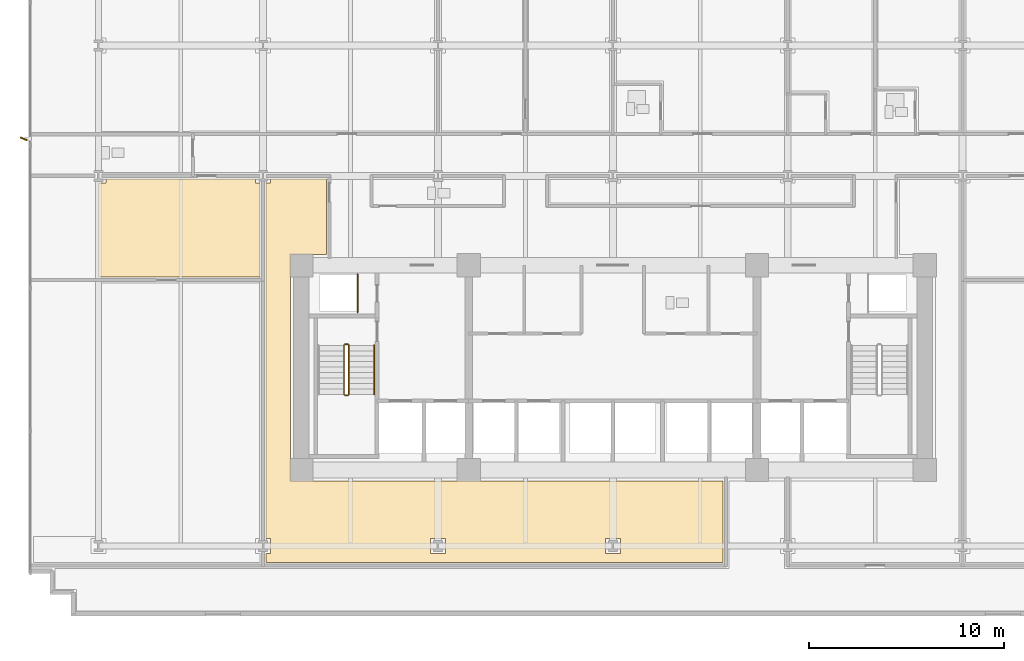
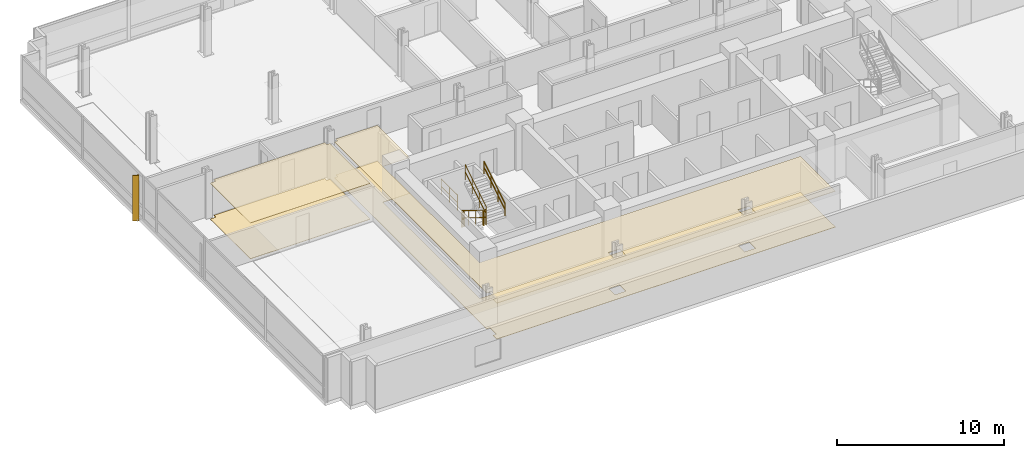
# One storey, part 13 of 18: 6 railings, 4 coverings, 1 shading device.
"""IFC4 building model written with IfcOpenShell, lengths in metres."""

from ifc_helpers import new_model, si_unit, direction, frame, origin, origin_2d, place, context, subcontext, project, spatial, polyline, rectangle, circle, outline, extrude, material, layer, layer_set, type_object, element, save


model = new_model("IFC4")

# Units and contexts
model_context = context("Model", 3, precision=1e-05, world=origin(), true_north=direction((0.0, 1.0)))
body_context = subcontext(model_context, "Body", "Model", "MODEL_VIEW")
ifc_project = project(units=[si_unit("LENGTHUNIT", "METRE"), si_unit("AREAUNIT", "SQUARE_METRE"), si_unit("VOLUMEUNIT", "CUBIC_METRE"), si_unit("PLANEANGLEUNIT", "RADIAN"), si_unit("MASSUNIT", "GRAM", prefix="KILO")], contexts=[model_context])

# Site, building, storey
site_placement = place(None, origin())
site = spatial("IfcSite", under=ifc_project, at=site_placement, CompositionType="ELEMENT")
building_placement = place(site_placement, origin())
building = spatial("IfcBuilding", under=site, at=building_placement, Name="Solmavex Isthmus Hotel", CompositionType="ELEMENT")
storey_placement = place(building_placement, frame((0.0, 0.0, 43.64990234375)))
storey = spatial("IfcBuildingStorey", under=building, at=storey_placement, Name="L11", CompositionType="ELEMENT", Elevation=43.64990234375)

# Coverings
ifc_material_1 = material(Name="Gypsum plasterboard lining", Category="gypsum")
ifc_layer_1 = layer(ifc_material_1, 0.030029296875)
ifc_layer_set_1 = layer_set([ifc_layer_1], Name="Gypsum plasterboard lining")
covering_type_1 = type_object("IfcCoveringType", Name="COV-CEIL-GYP", PredefinedType="CEILING", material=ifc_layer_set_1)
covering_1_placement = place(storey_placement, frame((0.0, 0.0, 2.6201171875)))
element("IfcCovering", 1, at=covering_1_placement, inside=storey, type_object=covering_type_1, Name="Suspended Acoustic Ceiling L11-FL11", PredefinedType="CEILING", context=body_context, shape_type="SweptSolid", body=[
    extrude(outline(polyline([(-26.02001953125, 1.945068359375), (-26.02001953125, 1.719970703125), (-26.39990234375, 1.719970703125), (-26.39990234375, -3.094970703125), (-18.10693359375, -3.094970703125), (-18.10693359375, 1.719970703125), (-18.33203125, 1.719970703125), (-18.33203125, 1.945068359375), (-26.02001953125, 1.945068359375)])), origin(), (0.0, 0.0, 1.0), 0.030029296875),
])
covering_2_placement = place(storey_placement, frame((0.0, 0.0, 2.6201171875)))
element("IfcCovering", 2, at=covering_2_placement, inside=storey, type_object=covering_type_1, Name="Suspended Acoustic Ceiling L11-FL14", PredefinedType="CEILING", context=body_context, shape_type="SweptSolid", body=[
    extrude(outline(polyline([(-17.797119140625, -16.52001953125), (-17.572021484375, -16.52001953125), (-17.572021484375, -17.280029296875), (-17.797119140625, -17.280029296875), (-17.797119140625, -17.7451171875), (5.64501953125, -17.7451171875), (5.64501953125, -13.554931640625), (-16.554931640625, -13.554931640625), (-16.554931640625, -1.945068359375), (-14.698974609375, -1.945068359375), (-14.698974609375, 1.945068359375), (-17.572021484375, 1.945068359375), (-17.572021484375, 1.719970703125), (-17.797119140625, 1.719970703125), (-17.797119140625, -16.52001953125)]), holes=[polyline([(-0.3798828125, -17.280029296875), (-0.3798828125, -16.52001953125), (0.3798828125, -16.52001953125), (0.3798828125, -17.280029296875), (-0.3798828125, -17.280029296875)]), polyline([(-9.35595703125, -17.280029296875), (-9.35595703125, -16.52001953125), (-8.595947265625, -16.52001953125), (-8.595947265625, -17.280029296875), (-9.35595703125, -17.280029296875)])]), origin(), (0.0, 0.0, 1.0), 0.030029296875),
])
ifc_material_2 = material(Name="Travertine natural stone", Category="masonry")
ifc_layer_2 = layer(ifc_material_2, 0.02490234375)
ifc_layer_set_2 = layer_set([ifc_layer_2], Name="Travertine natural stone")
covering_type_2 = type_object("IfcCoveringType", Name="COV-FLOR-STN", PredefinedType="FLOORING", material=ifc_layer_set_2)
covering_3_placement = place(storey_placement, origin())
element("IfcCovering", 3, at=covering_3_placement, inside=storey, type_object=covering_type_2, Name="Stone and Timber Floor Finish L11-FL11", PredefinedType="FLOORING", context=body_context, shape_type="SweptSolid", body=[
    extrude(outline(polyline([(-26.02001953125, 1.945068359375), (-26.02001953125, 1.719970703125), (-26.39990234375, 1.719970703125), (-26.39990234375, -3.094970703125), (-18.10693359375, -3.094970703125), (-18.10693359375, 1.719970703125), (-18.33203125, 1.719970703125), (-18.33203125, 1.945068359375), (-26.02001953125, 1.945068359375)])), origin(), (0.0, 0.0, 1.0), 0.025146484375),
])
covering_4_placement = place(storey_placement, origin())
element("IfcCovering", 4, at=covering_4_placement, inside=storey, type_object=covering_type_2, Name="Stone and Timber Floor Finish L11-FL14", PredefinedType="FLOORING", context=body_context, shape_type="SweptSolid", body=[
    extrude(outline(polyline([(-17.797119140625, -16.52001953125), (-17.572021484375, -16.52001953125), (-17.572021484375, -17.280029296875), (-17.797119140625, -17.280029296875), (-17.797119140625, -17.7451171875), (5.64501953125, -17.7451171875), (5.64501953125, -13.554931640625), (-16.554931640625, -13.554931640625), (-16.554931640625, -1.945068359375), (-14.698974609375, -1.945068359375), (-14.698974609375, 1.945068359375), (-17.572021484375, 1.945068359375), (-17.572021484375, 1.719970703125), (-17.797119140625, 1.719970703125), (-17.797119140625, -16.52001953125)]), holes=[polyline([(-0.3798828125, -17.280029296875), (-0.3798828125, -16.52001953125), (0.3798828125, -16.52001953125), (0.3798828125, -17.280029296875), (-0.3798828125, -17.280029296875)]), polyline([(-9.35595703125, -17.280029296875), (-9.35595703125, -16.52001953125), (-8.595947265625, -16.52001953125), (-8.595947265625, -17.280029296875), (-9.35595703125, -17.280029296875)])]), origin(), (0.0, 0.0, 1.0), 0.025146484375),
])

# Railings
ifc_material_3 = material(Name="Clear low-E laminated glass", Category="glass")
ifc_layer_3 = layer(ifc_material_3, 0.080078125)
ifc_layer_set_3 = layer_set([ifc_layer_3], Name="Clear low-E laminated glass")
railing_type_1 = type_object("IfcRailingType", Name="RAIL-ATRIUM-1120", PredefinedType="BALUSTRADE", material=ifc_layer_set_3)
railing_1_placement = place(storey_placement, frame((-13.10009765625, -4.89990234375, 0.0)))
element("IfcRailing", 5, at=railing_1_placement, inside=storey, type_object=railing_type_1, Name="Guardrail Balustrade L11-RSW-01", PredefinedType="BALUSTRADE", context=body_context, shape_type="SweptSolid", body=[
    extrude(circle(Radius=0.02392578125, at=origin_2d()), frame((0.0, 0.0, 1.1259765625), z_axis=(0.0, 1.0, 0.0), x_axis=(-1.0, 0.0, 0.0)), (0.0, 0.0, 1.0), 1.949951171875),
    extrude(circle(Radius=0.02392578125, at=origin_2d()), frame((0.0, 0.0, 0.574951171875), z_axis=(0.0, 1.0, 0.0), x_axis=(-1.0, 0.0, 0.0)), (0.0, 0.0, 1.0), 1.949951171875),
    extrude(circle(Radius=0.02099609375, at=origin_2d()), origin(), (0.0, 0.0, 1.0), 1.101806640625),
    extrude(circle(Radius=0.02099609375, at=origin_2d()), frame((0.0, 0.97509765625, 0.0)), (0.0, 0.0, 1.0), 1.101806640625),
    extrude(circle(Radius=0.02099609375, at=origin_2d()), frame((0.0, 1.949951171875, 0.0)), (0.0, 0.0, 1.0), 1.101806640625),
])
ifc_material_4 = material(Name="Stainless steel 316", Category="steel")
ifc_layer_4 = layer(ifc_material_4, 0.06005859375)
ifc_layer_set_4 = layer_set([ifc_layer_4], Name="Stainless steel 316")
railing_type_2 = type_object("IfcRailingType", Name="RAIL-STAIR-GD", PredefinedType="GUARDRAIL", material=ifc_layer_set_4)
railing_2_placement = place(storey_placement, frame((-13.800048828125, -6.60009765625, 0.172607421875)))
element("IfcRailing", 6, at=railing_2_placement, inside=storey, type_object=railing_type_2, Name="L11 ST-1 stair guard 1", PredefinedType="GUARDRAIL", context=body_context, shape_type="SweptSolid", body=[
    extrude(circle(Radius=0.02392578125, at=origin_2d()), frame((0.0, 0.0, 1.09619140625), z_axis=(0.0, -0.851400495292, 0.524516154772), x_axis=(1.0, 0.0, 0.0)), (0.0, 0.0, 1.0), 2.9599609375),
    extrude(circle(Radius=0.02392578125, at=origin_2d()), frame((0.0, 0.0, 0.56005859375), z_axis=(0.0, -0.851400495292, 0.524516154772), x_axis=(1.0, 0.0, 0.0)), (0.0, 0.0, 1.0), 2.9599609375),
    extrude(circle(Radius=0.02099609375, at=origin_2d()), origin(), (0.0, 0.0, 1.0), 1.072021484375),
    extrude(circle(Radius=0.02099609375, at=origin_2d()), frame((0.0, -0.840087890625, 0.517578125)), (0.0, 0.0, 1.0), 1.072021484375),
    extrude(circle(Radius=0.02099609375, at=origin_2d()), frame((0.0, -1.679931640625, 1.034912109375)), (0.0, 0.0, 1.0), 1.072021484375),
    extrude(circle(Radius=0.02099609375, at=origin_2d()), frame((0.0, -2.52001953125, 1.552490234375)), (0.0, 0.0, 1.0), 1.072021484375),
])
railing_3_placement = place(storey_placement, frame((-13.75, -9.169921875, 1.72509765625)))
element("IfcRailing", 7, at=railing_3_placement, inside=storey, type_object=railing_type_2, Name="L11 ST-1 stair guard 2", PredefinedType="GUARDRAIL", context=body_context, shape_type="SweptSolid", body=[
    extrude(circle(Radius=0.02392578125, at=origin_2d()), frame((0.0, 0.0, 1.09619140625), z_axis=(1.0, 0.0, 0.0), x_axis=(0.0, 1.0, 0.0)), (0.0, 0.0, 1.0), 0.14990234375),
    extrude(circle(Radius=0.02392578125, at=origin_2d()), frame((0.0, 0.0, 0.56005859375), z_axis=(1.0, 0.0, 0.0), x_axis=(0.0, 1.0, 0.0)), (0.0, 0.0, 1.0), 0.14990234375),
    extrude(circle(Radius=0.02099609375, at=origin_2d()), origin(), (0.0, 0.0, 1.0), 1.072021484375),
    extrude(circle(Radius=0.02099609375, at=origin_2d()), frame((0.14990234375, 0.0, 0.0)), (0.0, 0.0, 1.0), 1.072021484375),
])
railing_4_placement = place(storey_placement, frame((-13.550048828125, -9.1201171875, 1.897705078125)))
element("IfcRailing", 8, at=railing_4_placement, inside=storey, type_object=railing_type_2, Name="L11 ST-1 stair guard 3", PredefinedType="GUARDRAIL", context=body_context, shape_type="SweptSolid", body=[
    extrude(circle(Radius=0.02392578125, at=origin_2d()), frame((0.0, 0.0, 1.09619140625), z_axis=(0.0, 0.851400495292, 0.524516154772), x_axis=(-1.0, 0.0, 0.0)), (0.0, 0.0, 1.0), 2.9599609375),
    extrude(circle(Radius=0.02392578125, at=origin_2d()), frame((0.0, 0.0, 0.56005859375), z_axis=(0.0, 0.851400495292, 0.524516154772), x_axis=(-1.0, 0.0, 0.0)), (0.0, 0.0, 1.0), 2.9599609375),
    extrude(circle(Radius=0.02099609375, at=origin_2d()), origin(), (0.0, 0.0, 1.0), 1.072021484375),
    extrude(circle(Radius=0.02099609375, at=origin_2d()), frame((0.0, 0.840087890625, 0.517578125)), (0.0, 0.0, 1.0), 1.072021484375),
    extrude(circle(Radius=0.02099609375, at=origin_2d()), frame((0.0, 1.679931640625, 1.034912109375)), (0.0, 0.0, 1.0), 1.072021484375),
    extrude(circle(Radius=0.02099609375, at=origin_2d()), frame((0.0, 2.52001953125, 1.552490234375)), (0.0, 0.0, 1.0), 1.072021484375),
])
railing_5_placement = place(storey_placement, frame((-13.75, -6.550048828125, 0.0)))
element("IfcRailing", 9, at=railing_5_placement, inside=storey, type_object=railing_type_2, Name="L11 ST-1 stair guard 4", PredefinedType="GUARDRAIL", context=body_context, shape_type="SweptSolid", body=[
    extrude(circle(Radius=0.02392578125, at=origin_2d()), frame((0.0, 0.0, 1.09619140625), z_axis=(1.0, 0.0, 0.0), x_axis=(0.0, 1.0, 0.0)), (0.0, 0.0, 1.0), 0.14990234375),
    extrude(circle(Radius=0.02392578125, at=origin_2d()), frame((0.0, 0.0, 0.56005859375), z_axis=(1.0, 0.0, 0.0), x_axis=(0.0, 1.0, 0.0)), (0.0, 0.0, 1.0), 0.14990234375),
    extrude(circle(Radius=0.02099609375, at=origin_2d()), origin(), (0.0, 0.0, 1.0), 1.072021484375),
    extrude(circle(Radius=0.02099609375, at=origin_2d()), frame((0.14990234375, 0.0, 0.0)), (0.0, 0.0, 1.0), 1.072021484375),
])
ifc_layer_5 = layer(ifc_material_4, 0.050048828125)
ifc_layer_set_5 = layer_set([ifc_layer_5], Name="Stainless steel 316")
railing_type_3 = type_object("IfcRailingType", Name="RAIL-STAIR-HR", PredefinedType="HANDRAIL", material=ifc_layer_set_5)
railing_6_placement = place(storey_placement, frame((-12.25, -9.1201171875, 1.897705078125)))
element("IfcRailing", 10, at=railing_6_placement, inside=storey, type_object=railing_type_3, Name="L11 ST-1 stair handrail 2", PredefinedType="HANDRAIL", context=body_context, shape_type="SweptSolid", body=[
    extrude(circle(Radius=0.02392578125, at=origin_2d()), frame((0.0, 0.0, 0.8759765625), z_axis=(0.0, 0.851400495292, 0.524516154772), x_axis=(-1.0, 0.0, 0.0)), (0.0, 0.0, 1.0), 2.9599609375),
    extrude(circle(Radius=0.02392578125, at=origin_2d()), frame((0.0, 0.0, 0.449951171875), z_axis=(0.0, 0.851400495292, 0.524516154772), x_axis=(-1.0, 0.0, 0.0)), (0.0, 0.0, 1.0), 2.9599609375),
    extrude(circle(Radius=0.02099609375, at=origin_2d()), origin(), (0.0, 0.0, 1.0), 0.851806640625),
    extrude(circle(Radius=0.02099609375, at=origin_2d()), frame((0.0, 0.840087890625, 0.517578125)), (0.0, 0.0, 1.0), 0.851806640625),
    extrude(circle(Radius=0.02099609375, at=origin_2d()), frame((0.0, 1.679931640625, 1.034912109375)), (0.0, 0.0, 1.0), 0.851806640625),
    extrude(circle(Radius=0.02099609375, at=origin_2d()), frame((0.0, 2.52001953125, 1.552490234375)), (0.0, 0.0, 1.0), 0.851806640625),
])

# Shading device
ifc_material_5 = material(Name="Aluminium alloy 6063-T6", Category="aluminium")
shading_device_type = type_object("IfcShadingDeviceType", Name="SHD-FIN-CHAMP", PredefinedType="USERDEFINED", material=ifc_material_5)
shading_device_placement = place(storey_placement, frame((-30.239990234375, 4.0, -0.139892578125), z_axis=(0.0, 0.0, 1.0), x_axis=(-0.913545457643, 0.406736643076, 0.0)))
element("IfcShadingDevice", 11, at=shading_device_placement, inside=storey, type_object=shading_device_type, Name="Anodised Aluminium Solar Fin L11-W1", ObjectType="SOLAR_FIN", PredefinedType="USERDEFINED", context=body_context, shape_type="SweptSolid", body=[
    extrude(rectangle(XDim=0.3798828125, YDim=0.070068359375, at=origin_2d()), origin(), (0.0, 0.0, 1.0), 3.330078125),
])

save(model, "model.ifc")
